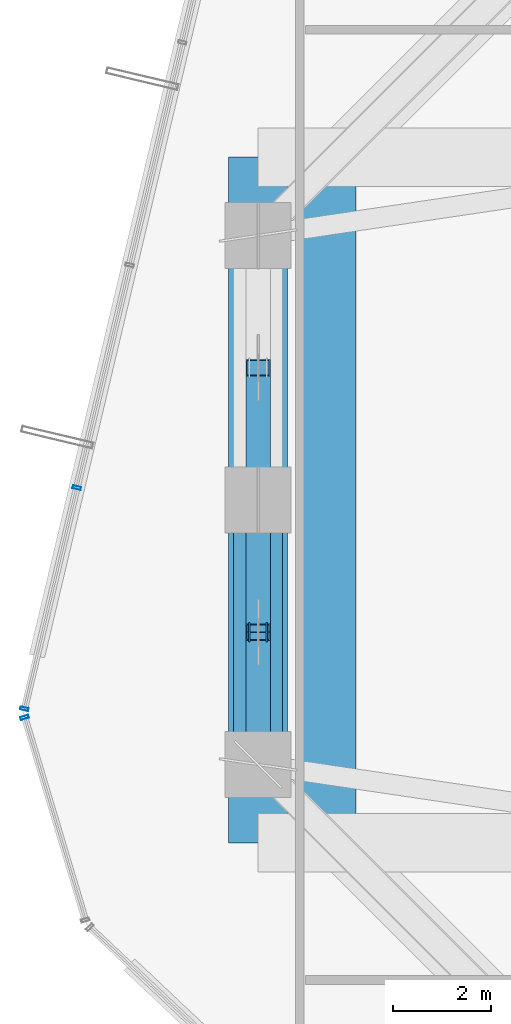
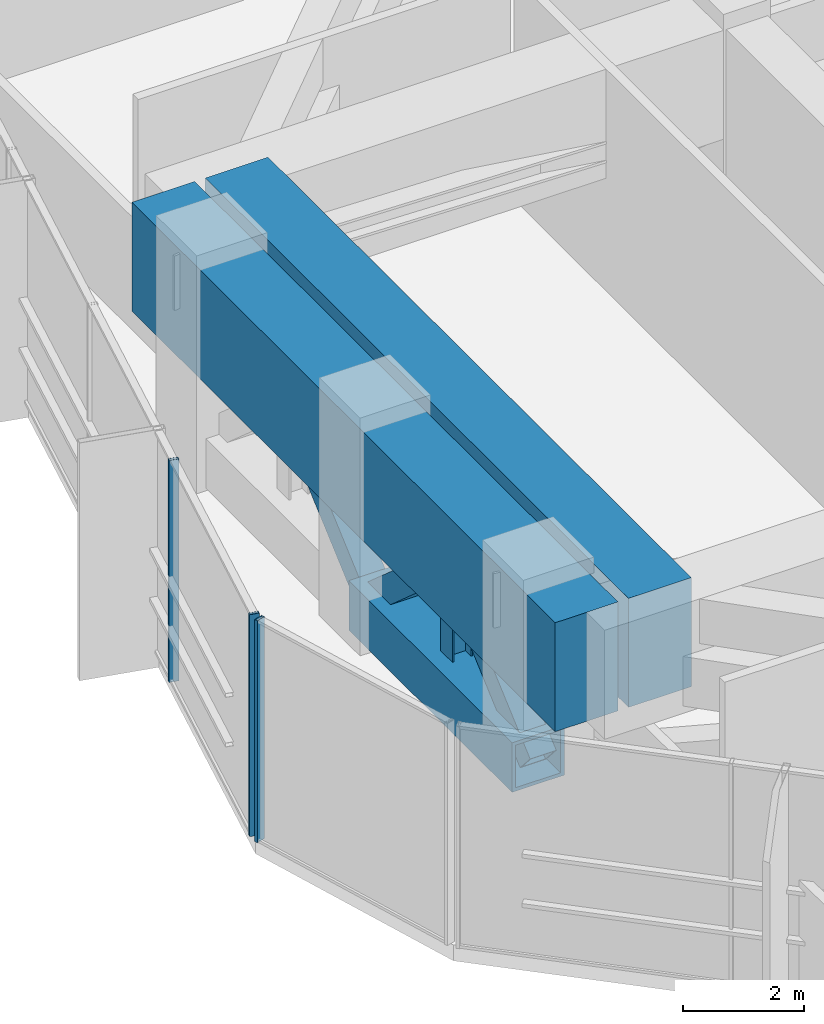
# One storey, part 8 of 41: 8 members, 2 beams, 2 elements without a shape of their own.
"""IFC4 building model written with IfcOpenShell, lengths in metres."""

from ifc_helpers import new_model, si_unit, direction, frame, origin, origin_2d, place, context, subcontext, project, spatial, rectangle, hollow_rectangle, i_section, extrude, source, transform, mapped, material, layer, layer_set, material_profile, profile_set, type_object, element, aggregate, save


model = new_model("IFC4")

# Units and contexts
model_context = context("Model", 3, precision=1e-05, world=origin(), true_north=direction((0.0, 1.0)))
body_context = subcontext(model_context, "Body", "Model", "MODEL_VIEW")
ifc_project = project(units=[si_unit("LENGTHUNIT", "METRE"), si_unit("AREAUNIT", "SQUARE_METRE"), si_unit("VOLUMEUNIT", "CUBIC_METRE"), si_unit("PLANEANGLEUNIT", "RADIAN"), si_unit("MASSUNIT", "GRAM", prefix="KILO")], contexts=[model_context])

# Site, building, storey
site_placement = place(None, origin())
site = spatial("IfcSite", under=ifc_project, at=site_placement, CompositionType="ELEMENT")
building_placement = place(site_placement, origin())
building = spatial("IfcBuilding", under=site, at=building_placement, Name="Veraguas Prism Commons", CompositionType="ELEMENT")
storey_placement = place(building_placement, frame((0.0, 0.0, 80.35009765625)))
storey = spatial("IfcBuildingStorey", under=building, at=storey_placement, Name="L22", CompositionType="ELEMENT", Elevation=80.35009765625)

# Members
ifc_material_1 = material(Name="Steel ASTM A913 Grade 65", Category="steel")
ifc_material_profile_1 = material_profile(ifc_material_1, hollow_rectangle(XDim=1.0, YDim=1.0, WallThickness=0.070068359375, at=origin_2d()), Name="BOX1000X1000X70")
ifc_profile_set_1 = profile_set([ifc_material_profile_1], Name="Steel ASTM A913 Grade 65")
member_type_1 = type_object("IfcMemberType", Name="Belt Truss Chord L22 Box 1000x1000x70", PredefinedType="CHORD", material=ifc_profile_set_1)
member_1_placement = place(storey_placement, frame((6.39990234375, 24.0, 0.5498046875), z_axis=(0.0, -1.0, 0.0), x_axis=(1.0, 0.0, 0.0)))
element("IfcMember", 1, at=member_1_placement, inside=storey, type_object=member_type_1, Name="Perimeter Belt Truss Chord Bottom L22-08", PredefinedType="CHORD", context=body_context, shape_type="SweptSolid", body=[
    extrude(hollow_rectangle(XDim=1.0, YDim=1.0, WallThickness=0.070068359375, at=origin_2d()), origin(), (0.0, 0.0, 1.0), 5.39990234375),
])
ifc_material_2 = material(Name="Steel ASTM A992 Grade 50", Category="steel")
ifc_material_profile_2 = material_profile(ifc_material_2, i_section(OverallWidth=0.39794921875, OverallDepth=0.386962890625, WebThickness=0.01904296875, FlangeThickness=0.0302734375, at=origin_2d()), Name="W360X262")
ifc_profile_set_2 = profile_set([ifc_material_profile_2], Name="Steel ASTM A992 Grade 50")
member_type_2 = type_object("IfcMemberType", Name="Belt Truss Vertical Strut W360x262", PredefinedType="STRUT", material=ifc_profile_set_2)
member_2_placement = place(storey_placement, frame((6.39990234375, 21.300048828125, 0.5498046875), z_axis=(0.0, 0.0, 1.0), x_axis=(0.0, -1.0, 0.0)))
element("IfcMember", 2, at=member_2_placement, inside=storey, type_object=member_type_2, Name="Perimeter Belt Truss Strut L22-08", PredefinedType="STRUT", context=body_context, shape_type="SweptSolid", body=[
    extrude(i_section(OverallWidth=0.39794921875, OverallDepth=0.386962890625, WebThickness=0.01904296875, FlangeThickness=0.0302734375, at=origin_2d()), origin(), (0.0, 0.0, 1.0), 2.380126953125),
])
ifc_material_3 = material(Name="Steel ASTM A572 Grade 50", Category="steel")
ifc_material_profile_3 = material_profile(ifc_material_3, hollow_rectangle(XDim=0.5, YDim=0.5, WallThickness=0.02490234375, at=origin_2d()), Name="BOX500X500X25")
ifc_profile_set_3 = profile_set([ifc_material_profile_3], Name="Steel ASTM A572 Grade 50")
member_type_3 = type_object("IfcMemberType", Name="Perimeter Belt Diagonal BOX 500x500x25", PredefinedType="BRACE", material=ifc_profile_set_3)
for number, where, z_axis, x_axis, name in (
    (3, (6.39990234375, 24.0, 0.5498046875), (0.0, 0.750138660667, 0.66128056812), (-1.0, 0.0, 0.0), "Perimeter Belt Truss Brace L22-07B"),
    (4, (6.39990234375, 24.0, 0.5498046875), (0.0, -0.750138660667, 0.66128056812), (1.0, 0.0, 0.0), "Perimeter Belt Truss Brace L22-08A"),
    (5, (6.39990234375, 18.60009765625, 0.5498046875), (0.0, 0.750138660667, 0.66128056812), (-1.0, 0.0, 0.0), "Perimeter Belt Truss Brace L22-08B"),
):
    element("IfcMember", number, at=place(storey_placement, frame(where, z_axis=z_axis, x_axis=x_axis)), inside=storey, type_object=member_type_3, Name=name, PredefinedType="BRACE", context=body_context, shape_type="SweptSolid", body=[
        extrude(hollow_rectangle(XDim=0.5, YDim=0.5, WallThickness=0.02490234375, at=origin_2d()), origin(), (0.0, 0.0, 1.0), 3.599365234375),
    ])

# Beams
ifc_material_4 = material(Name="Concrete C50/60", Category="concrete")
ifc_material_profile_4 = material_profile(ifc_material_4, rectangle(XDim=1.199951171875, YDim=2.199951171875, at=origin_2d()), Name="RC1200X2200")
ifc_profile_set_4 = profile_set([ifc_material_profile_4], Name="Concrete C50/60")
beam_type = type_object("IfcBeamType", Name="Podium Transfer Girder RC 1200x2200", PredefinedType="BEAM", material=ifc_profile_set_4)
for number, where, z_axis, x_axis, name in (
    (6, (6.39990234375, 17.0, 3.3798828125), (0.0, 1.0, 0.0), (-1.0, 0.0, 0.0), "West Outer Edge Transfer Girder L22"),
    (7, (7.800048828125, 17.0, 3.3798828125), (0.0, 1.0, 0.0), (-1.0, 0.0, 0.0), "West Setback Transfer Girder L22"),
):
    element("IfcBeam", number, at=place(storey_placement, frame(where, z_axis=z_axis, x_axis=x_axis)), inside=storey, type_object=beam_type, Name=name, PredefinedType="BEAM", context=body_context, shape_type="SweptSolid", body=[
        extrude(rectangle(XDim=1.199951171875, YDim=2.199951171875, at=origin_2d()), origin(), (0.0, 0.0, 1.0), 14.0),
    ])

# Curtain wall, members
ifc_material_5 = material(Name="Anodised aluminium EN AW-6063 T6", Category="aluminium")
ifc_layer = layer(ifc_material_5, 0.169921875, Name="Unitised Flush Curtain Wall Zone 1", Category="aluminium")
ifc_layer_set = layer_set([ifc_layer], Name="Anodised aluminium EN AW-6063 T6")
curtain_wall_type = type_object("IfcCurtainWallType", Name="Unitised Flush Curtain Wall Zone 1", PredefinedType="NOTDEFINED", material=ifc_layer_set)
curtain_wall_1_placement = place(storey_placement, origin())
curtain_wall_1 = element("IfcCurtainWall", 8, at=curtain_wall_1_placement, inside=storey, type_object=curtain_wall_type, Name="Tower Facade Curtain Wall L22-F3", PredefinedType="NOTDEFINED")
ifc_material_profile_5 = material_profile(ifc_material_5, hollow_rectangle(XDim=0.06005859375, YDim=0.169921875, WallThickness=0.00390625, at=origin_2d()), Name="AL60X170X4")
ifc_profile_set_5 = profile_set([ifc_material_profile_5], Name="Anodised aluminium EN AW-6063 T6")
member_type_4 = type_object("IfcMemberType", Name="Curtain Wall Mullion Lower AL 60x170x4", PredefinedType="MULLION", material=ifc_profile_set_5)
shared_shape = source(origin(), body_context, "Body", "SweptSolid", [
    extrude(hollow_rectangle(XDim=0.06005859375, YDim=0.169921875, WallThickness=0.00390625, at=origin_2d()), origin(), (0.0, 0.0, 1.0), 4.47998046875),
])
member_3_placement = place(storey_placement, frame((2.698486328125, 24.250732421875, 0.0), z_axis=(0.0, 0.0, 1.0), x_axis=(-0.2307341828, -0.97301682251, 0.0)))
member_3 = element("IfcMember", 9, at=member_3_placement, type_object=member_type_4, Name="CW-Z1 Mullion 4", PredefinedType="MULLION", context=body_context, shape_type="MappedRepresentation", body=[
    mapped(shared_shape, transform((0.0, 0.0, 0.0), scale=1.0)),
])
member_4_placement = place(storey_placement, frame((1.627685546875, 19.735107421875, 0.0), z_axis=(0.0, 0.0, 1.0), x_axis=(-0.2307341828, -0.97301682251, 0.0)))
member_4 = element("IfcMember", 10, at=member_4_placement, type_object=member_type_4, Name="CW-Z1 Mullion 5", PredefinedType="MULLION", context=body_context, shape_type="MappedRepresentation", body=[
    mapped(shared_shape, transform((0.0, 0.0, 0.0), scale=1.0)),
])
aggregate(curtain_wall_1, [member_3, member_4])

# Curtain wall, member
curtain_wall_2_placement = place(storey_placement, origin())
curtain_wall_2 = element("IfcCurtainWall", 11, at=curtain_wall_2_placement, inside=storey, type_object=curtain_wall_type, Name="Chamfer Curtain Wall L22-C4", PredefinedType="NOTDEFINED")
member_5_placement = place(storey_placement, frame((1.6328125, 19.561279296875, 0.0), z_axis=(0.0, 0.0, 1.0), x_axis=(0.286691763629, -0.958022876902, 0.0)))
member_5 = element("IfcMember", 12, at=member_5_placement, type_object=member_type_4, Name="CW-Z1 Mullion 1", PredefinedType="MULLION", context=body_context, shape_type="MappedRepresentation", body=[
    mapped(shared_shape, transform((0.0, 0.0, 0.0), scale=1.0)),
])
aggregate(curtain_wall_2, [member_5])

save(model, "model.ifc")
